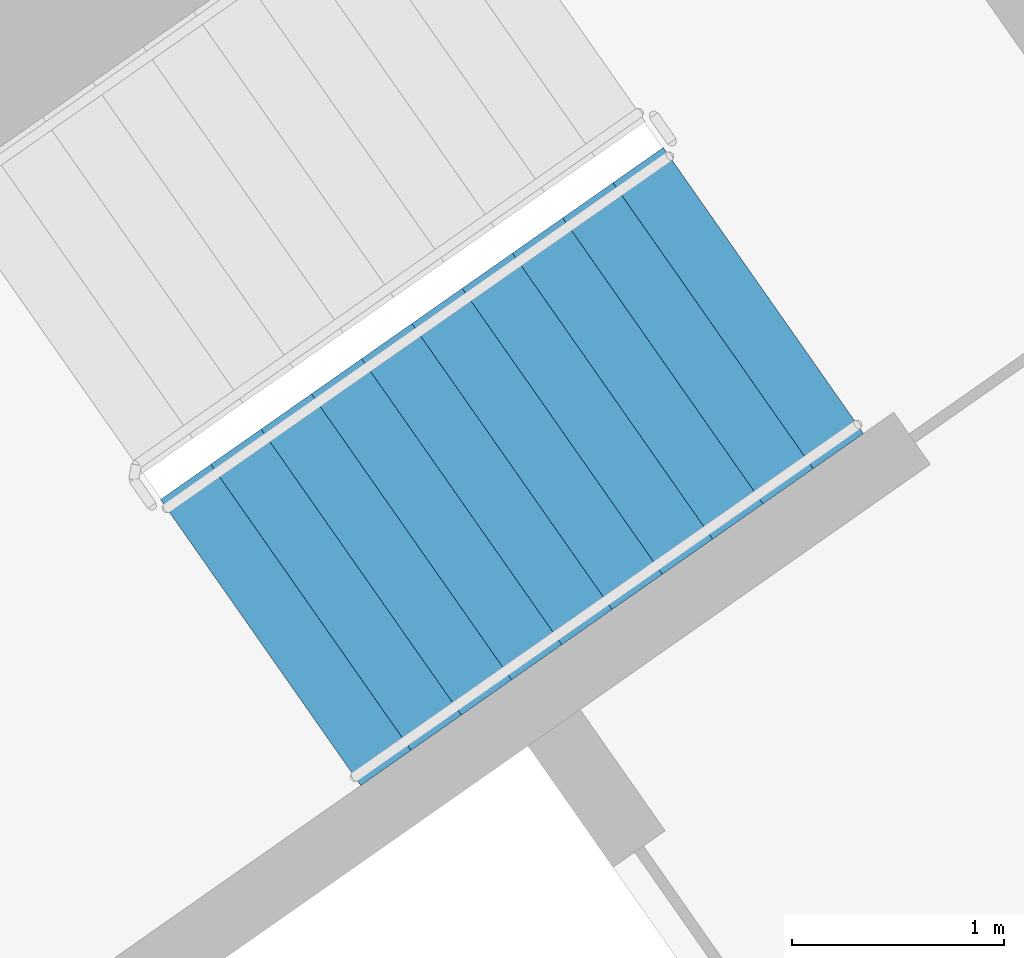
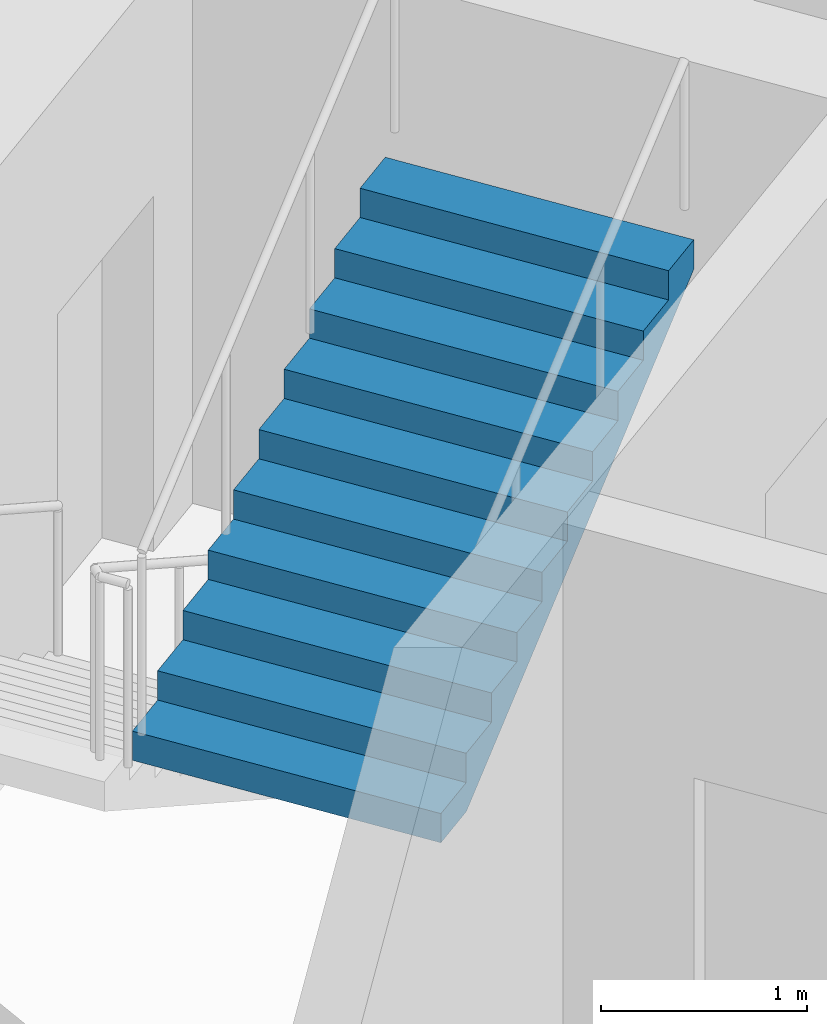
# One storey, part 16 of 27: 1 stair flight, 1 element without a shape of its own.
"""IFC4 building model written with IfcOpenShell, lengths in metres."""

from ifc_helpers import new_model, si_unit, direction, frame, origin, place, context, subcontext, project, spatial, faceted_brep, material, type_object, element, aggregate, save


model = new_model("IFC4")

# Units and contexts
model_context = context("Model", 3, precision=1e-05, world=origin(), true_north=direction((0.0, 1.0)))
body_context = subcontext(model_context, "Body", "Model", "MODEL_VIEW")
ifc_project = project(units=[si_unit("LENGTHUNIT", "METRE"), si_unit("AREAUNIT", "SQUARE_METRE"), si_unit("VOLUMEUNIT", "CUBIC_METRE"), si_unit("PLANEANGLEUNIT", "RADIAN"), si_unit("MASSUNIT", "GRAM", prefix="KILO")], contexts=[model_context])

# Site, building, storey
site_placement = place(None, origin())
site = spatial("IfcSite", under=ifc_project, at=site_placement, CompositionType="ELEMENT")
building_placement = place(site_placement, origin())
building = spatial("IfcBuilding", under=site, at=building_placement, Name="Qamariyya Broadcast Tower", CompositionType="ELEMENT")
storey_placement = place(building_placement, frame((0.0, 0.0, 280.89990234375)))
storey = spatial("IfcBuildingStorey", under=building, at=storey_placement, Name="L68", CompositionType="ELEMENT", Elevation=280.89990234375)

# Stair, stair flight
ifc_material = material(Name="Concrete C50/60", Category="concrete")
stair_type = type_object("IfcStairType", Name="Exit stair 22 risers of 173 mm", PredefinedType="HALF_TURN_STAIR", material=ifc_material)
stair_placement = place(storey_placement, origin())
stair = element("IfcStair", 1, at=stair_placement, inside=storey, type_object=stair_type, Name="L68 Stair E2", PredefinedType="HALF_TURN_STAIR")
stair_flight_type = type_object("IfcStairFlightType", Name="Exit stair flight 11 risers of 173 mm", PredefinedType="STRAIGHT", material=ifc_material)
stair_flight_placement = place(storey_placement, frame((39.215576171875, -50.822998046875, 1.900146484375), z_axis=(0.0, 0.0, 1.0), x_axis=(0.819152044289, 0.573576436351, 0.0)))
stair_flight = element("IfcStairFlight", 2, at=stair_flight_placement, type_object=stair_flight_type, Name="ST-E2 flight 2", NumberOfRisers=11, NumberOfTreads=10, PredefinedType="STRAIGHT", RiserHeight=0.172727273, TreadLength=0.29, context=body_context, shape_type="Brep", body=[
    faceted_brep([(0.0, 0.824951171875, 0.0), (0.0, 0.824951171875, 0.172607421875), (0.2900390625, 0.824951171875, 0.172607421875), (0.2900390625, 0.824951171875, 0.345458984375), (0.580078125, 0.824951171875, 0.345458984375), (0.580078125, 0.824951171875, 0.51806640625), (0.8701171875, 0.824951171875, 0.51806640625), (0.8701171875, 0.824951171875, 0.69091796875), (1.159912109375, 0.824951171875, 0.69091796875), (1.159912109375, 0.824951171875, 0.863525390625), (1.449951171875, 0.824951171875, 0.863525390625), (1.449951171875, 0.824951171875, 1.036376953125), (1.739990234375, 0.824951171875, 1.036376953125), (1.739990234375, 0.824951171875, 1.208984375), (2.030029296875, 0.824951171875, 1.208984375), (2.030029296875, 0.824951171875, 1.3818359375), (2.320068359375, 0.824951171875, 1.3818359375), (2.320068359375, 0.824951171875, 1.554443359375), (2.610107421875, 0.824951171875, 1.554443359375), (2.610107421875, 0.824951171875, 1.727294921875), (2.89990234375, 0.824951171875, 1.727294921875), (2.89990234375, 0.824951171875, 1.552734375), (0.29296875, 0.824951171875, 0.0), (0.29296875, -0.824951171875, 0.0), (2.89990234375, -0.824951171875, 1.552734375), (2.89990234375, -0.824951171875, 1.727294921875), (2.610107421875, -0.824951171875, 1.727294921875), (2.610107421875, -0.824951171875, 1.554443359375), (2.320068359375, -0.824951171875, 1.554443359375), (2.320068359375, -0.824951171875, 1.3818359375), (2.030029296875, -0.824951171875, 1.3818359375), (2.030029296875, -0.824951171875, 1.208984375), (1.739990234375, -0.824951171875, 1.208984375), (1.739990234375, -0.824951171875, 1.036376953125), (1.449951171875, -0.824951171875, 1.036376953125), (1.449951171875, -0.824951171875, 0.863525390625), (1.159912109375, -0.824951171875, 0.863525390625), (1.159912109375, -0.824951171875, 0.69091796875), (0.8701171875, -0.824951171875, 0.69091796875), (0.8701171875, -0.824951171875, 0.51806640625), (0.580078125, -0.824951171875, 0.51806640625), (0.580078125, -0.824951171875, 0.345458984375), (0.2900390625, -0.824951171875, 0.345458984375), (0.2900390625, -0.824951171875, 0.172607421875), (0.0, -0.824951171875, 0.172607421875), (0.0, -0.824951171875, 0.0), (0.0, 0.10009765625, 0.0), (0.0, 0.086669921875, 0.0), (0.0, 0.0732421875, 0.0), (0.0, 0.06005859375, 0.0), (0.0, 0.046630859375, 0.0), (0.0, 0.033447265625, 0.0), (0.0, 0.02001953125, 0.0), (0.0, 0.006591796875, 0.0), (0.0, -0.006591796875, 0.0), (0.0, -0.02001953125, 0.0), (0.0, -0.033447265625, 0.0), (0.0, -0.046630859375, 0.0), (0.0, -0.06005859375, 0.0), (0.0, -0.0732421875, 0.0), (0.0, -0.086669921875, 0.0), (0.0, -0.10009765625, 0.0), (0.0, -0.10009765625, 0.172607421875), (0.0, -0.086669921875, 0.172607421875), (0.0, -0.0732421875, 0.172607421875), (0.0, -0.06005859375, 0.172607421875), (0.0, -0.046630859375, 0.172607421875), (0.0, -0.033447265625, 0.172607421875), (0.0, -0.02001953125, 0.172607421875), (0.0, -0.006591796875, 0.172607421875), (0.0, 0.006591796875, 0.172607421875), (0.0, 0.02001953125, 0.172607421875), (0.0, 0.033447265625, 0.172607421875), (0.0, 0.046630859375, 0.172607421875), (0.0, 0.06005859375, 0.172607421875), (0.0, 0.0732421875, 0.172607421875), (0.0, 0.086669921875, 0.172607421875), (0.0, 0.10009765625, 0.172607421875), (0.2900390625, -0.10009765625, 0.172607421875), (0.2900390625, -0.086669921875, 0.172607421875), (0.2900390625, -0.0732421875, 0.172607421875), (0.2900390625, -0.06005859375, 0.172607421875), (0.2900390625, -0.046630859375, 0.172607421875), (0.2900390625, -0.033447265625, 0.172607421875), (0.2900390625, -0.02001953125, 0.172607421875), (0.2900390625, -0.006591796875, 0.172607421875), (0.2900390625, 0.006591796875, 0.172607421875), (0.2900390625, 0.02001953125, 0.172607421875), (0.2900390625, 0.033447265625, 0.172607421875), (0.2900390625, 0.046630859375, 0.172607421875), (0.2900390625, 0.06005859375, 0.172607421875), (0.2900390625, 0.0732421875, 0.172607421875), (0.2900390625, 0.086669921875, 0.172607421875), (0.2900390625, 0.10009765625, 0.172607421875), (0.2900390625, -0.10009765625, 0.345458984375), (0.2900390625, -0.086669921875, 0.345458984375), (0.2900390625, -0.0732421875, 0.345458984375), (0.2900390625, -0.06005859375, 0.345458984375), (0.2900390625, -0.046630859375, 0.345458984375), (0.2900390625, -0.033447265625, 0.345458984375), (0.2900390625, -0.02001953125, 0.345458984375), (0.2900390625, -0.006591796875, 0.345458984375), (0.2900390625, 0.006591796875, 0.345458984375), (0.2900390625, 0.02001953125, 0.345458984375), (0.2900390625, 0.033447265625, 0.345458984375), (0.2900390625, 0.046630859375, 0.345458984375), (0.2900390625, 0.06005859375, 0.345458984375), (0.2900390625, 0.0732421875, 0.345458984375), (0.2900390625, 0.086669921875, 0.345458984375), (0.2900390625, 0.10009765625, 0.345458984375), (0.580078125, -0.10009765625, 0.345458984375), (0.580078125, -0.086669921875, 0.345458984375), (0.580078125, -0.0732421875, 0.345458984375), (0.580078125, -0.06005859375, 0.345458984375), (0.580078125, -0.046630859375, 0.345458984375), (0.580078125, -0.033447265625, 0.345458984375), (0.580078125, -0.02001953125, 0.345458984375), (0.580078125, -0.006591796875, 0.345458984375), (0.580078125, 0.006591796875, 0.345458984375), (0.580078125, 0.02001953125, 0.345458984375), (0.580078125, 0.033447265625, 0.345458984375), (0.580078125, 0.046630859375, 0.345458984375), (0.580078125, 0.06005859375, 0.345458984375), (0.580078125, 0.0732421875, 0.345458984375), (0.580078125, 0.086669921875, 0.345458984375), (0.580078125, 0.10009765625, 0.345458984375), (0.580078125, -0.10009765625, 0.51806640625), (0.580078125, -0.086669921875, 0.51806640625), (0.580078125, -0.0732421875, 0.51806640625), (0.580078125, -0.06005859375, 0.51806640625), (0.580078125, -0.046630859375, 0.51806640625), (0.580078125, -0.033447265625, 0.51806640625), (0.580078125, -0.02001953125, 0.51806640625), (0.580078125, -0.006591796875, 0.51806640625), (0.580078125, 0.006591796875, 0.51806640625), (0.580078125, 0.02001953125, 0.51806640625), (0.580078125, 0.033447265625, 0.51806640625), (0.580078125, 0.046630859375, 0.51806640625), (0.580078125, 0.06005859375, 0.51806640625), (0.580078125, 0.0732421875, 0.51806640625), (0.580078125, 0.086669921875, 0.51806640625), (0.580078125, 0.10009765625, 0.51806640625), (0.8701171875, -0.10009765625, 0.51806640625), (0.8701171875, -0.086669921875, 0.51806640625), (0.8701171875, -0.0732421875, 0.51806640625), (0.8701171875, -0.06005859375, 0.51806640625), (0.8701171875, -0.046630859375, 0.51806640625), (0.8701171875, -0.033447265625, 0.51806640625), (0.8701171875, -0.02001953125, 0.51806640625), (0.8701171875, -0.006591796875, 0.51806640625), (0.8701171875, 0.006591796875, 0.51806640625), (0.8701171875, 0.02001953125, 0.51806640625), (0.8701171875, 0.033447265625, 0.51806640625), (0.8701171875, 0.046630859375, 0.51806640625), (0.8701171875, 0.06005859375, 0.51806640625), (0.8701171875, 0.0732421875, 0.51806640625), (0.8701171875, 0.086669921875, 0.51806640625), (0.8701171875, 0.10009765625, 0.51806640625), (0.8701171875, -0.10009765625, 0.69091796875), (0.8701171875, -0.086669921875, 0.69091796875), (0.8701171875, -0.0732421875, 0.69091796875), (0.8701171875, -0.06005859375, 0.69091796875), (0.8701171875, -0.046630859375, 0.69091796875), (0.8701171875, -0.033447265625, 0.69091796875), (0.8701171875, -0.02001953125, 0.69091796875), (0.8701171875, -0.006591796875, 0.69091796875), (0.8701171875, 0.006591796875, 0.69091796875), (0.8701171875, 0.02001953125, 0.69091796875), (0.8701171875, 0.033447265625, 0.69091796875), (0.8701171875, 0.046630859375, 0.69091796875), (0.8701171875, 0.06005859375, 0.69091796875), (0.8701171875, 0.0732421875, 0.69091796875), (0.8701171875, 0.086669921875, 0.69091796875), (0.8701171875, 0.10009765625, 0.69091796875), (1.159912109375, -0.10009765625, 0.69091796875), (1.159912109375, -0.086669921875, 0.69091796875), (1.159912109375, -0.0732421875, 0.69091796875), (1.159912109375, -0.06005859375, 0.69091796875), (1.159912109375, -0.046630859375, 0.69091796875), (1.159912109375, -0.033447265625, 0.69091796875), (1.159912109375, -0.02001953125, 0.69091796875), (1.159912109375, -0.006591796875, 0.69091796875), (1.159912109375, 0.006591796875, 0.69091796875), (1.159912109375, 0.02001953125, 0.69091796875), (1.159912109375, 0.033447265625, 0.69091796875), (1.159912109375, 0.046630859375, 0.69091796875), (1.159912109375, 0.06005859375, 0.69091796875), (1.159912109375, 0.0732421875, 0.69091796875), (1.159912109375, 0.086669921875, 0.69091796875), (1.159912109375, 0.10009765625, 0.69091796875), (1.159912109375, -0.10009765625, 0.863525390625), (1.159912109375, -0.086669921875, 0.863525390625), (1.159912109375, -0.0732421875, 0.863525390625), (1.159912109375, -0.06005859375, 0.863525390625), (1.159912109375, -0.046630859375, 0.863525390625), (1.159912109375, -0.033447265625, 0.863525390625), (1.159912109375, -0.02001953125, 0.863525390625), (1.159912109375, -0.006591796875, 0.863525390625), (1.159912109375, 0.006591796875, 0.863525390625), (1.159912109375, 0.02001953125, 0.863525390625), (1.159912109375, 0.033447265625, 0.863525390625), (1.159912109375, 0.046630859375, 0.863525390625), (1.159912109375, 0.06005859375, 0.863525390625), (1.159912109375, 0.0732421875, 0.863525390625), (1.159912109375, 0.086669921875, 0.863525390625), (1.159912109375, 0.10009765625, 0.863525390625), (1.449951171875, -0.10009765625, 0.863525390625), (1.449951171875, -0.086669921875, 0.863525390625), (1.449951171875, -0.0732421875, 0.863525390625), (1.449951171875, -0.06005859375, 0.863525390625), (1.449951171875, -0.046630859375, 0.863525390625), (1.449951171875, -0.033447265625, 0.863525390625), (1.449951171875, -0.02001953125, 0.863525390625), (1.449951171875, -0.006591796875, 0.863525390625), (1.449951171875, 0.006591796875, 0.863525390625), (1.449951171875, 0.02001953125, 0.863525390625), (1.449951171875, 0.033447265625, 0.863525390625), (1.449951171875, 0.046630859375, 0.863525390625), (1.449951171875, 0.06005859375, 0.863525390625), (1.449951171875, 0.0732421875, 0.863525390625), (1.449951171875, 0.086669921875, 0.863525390625), (1.449951171875, 0.10009765625, 0.863525390625), (1.449951171875, -0.10009765625, 1.036376953125), (1.449951171875, -0.086669921875, 1.036376953125), (1.449951171875, -0.0732421875, 1.036376953125), (1.449951171875, -0.06005859375, 1.036376953125), (1.449951171875, -0.046630859375, 1.036376953125), (1.449951171875, -0.033447265625, 1.036376953125), (1.449951171875, -0.02001953125, 1.036376953125), (1.449951171875, -0.006591796875, 1.036376953125), (1.449951171875, 0.006591796875, 1.036376953125), (1.449951171875, 0.02001953125, 1.036376953125), (1.449951171875, 0.033447265625, 1.036376953125), (1.449951171875, 0.046630859375, 1.036376953125), (1.449951171875, 0.06005859375, 1.036376953125), (1.449951171875, 0.0732421875, 1.036376953125), (1.449951171875, 0.086669921875, 1.036376953125), (1.449951171875, 0.10009765625, 1.036376953125), (1.739990234375, -0.10009765625, 1.036376953125), (1.739990234375, -0.086669921875, 1.036376953125), (1.739990234375, -0.0732421875, 1.036376953125), (1.739990234375, -0.06005859375, 1.036376953125), (1.739990234375, -0.046630859375, 1.036376953125), (1.739990234375, -0.033447265625, 1.036376953125), (1.739990234375, -0.02001953125, 1.036376953125), (1.739990234375, -0.006591796875, 1.036376953125), (1.739990234375, 0.006591796875, 1.036376953125), (1.739990234375, 0.02001953125, 1.036376953125), (1.739990234375, 0.033447265625, 1.036376953125), (1.739990234375, 0.046630859375, 1.036376953125), (1.739990234375, 0.06005859375, 1.036376953125), (1.739990234375, 0.0732421875, 1.036376953125), (1.739990234375, 0.086669921875, 1.036376953125), (1.739990234375, 0.10009765625, 1.036376953125), (1.739990234375, -0.10009765625, 1.208984375), (1.739990234375, -0.086669921875, 1.208984375), (1.739990234375, -0.0732421875, 1.208984375), (1.739990234375, -0.06005859375, 1.208984375), (1.739990234375, -0.046630859375, 1.208984375), (1.739990234375, -0.033447265625, 1.208984375), (1.739990234375, -0.02001953125, 1.208984375), (1.739990234375, -0.006591796875, 1.208984375), (1.739990234375, 0.006591796875, 1.208984375), (1.739990234375, 0.02001953125, 1.208984375), (1.739990234375, 0.033447265625, 1.208984375), (1.739990234375, 0.046630859375, 1.208984375), (1.739990234375, 0.06005859375, 1.208984375), (1.739990234375, 0.0732421875, 1.208984375), (1.739990234375, 0.086669921875, 1.208984375), (1.739990234375, 0.10009765625, 1.208984375), (2.030029296875, -0.10009765625, 1.208984375), (2.030029296875, -0.086669921875, 1.208984375), (2.030029296875, -0.0732421875, 1.208984375), (2.030029296875, -0.06005859375, 1.208984375), (2.030029296875, -0.046630859375, 1.208984375), (2.030029296875, -0.033447265625, 1.208984375), (2.030029296875, -0.02001953125, 1.208984375), (2.030029296875, -0.006591796875, 1.208984375), (2.030029296875, 0.006591796875, 1.208984375), (2.030029296875, 0.02001953125, 1.208984375), (2.030029296875, 0.033447265625, 1.208984375), (2.030029296875, 0.046630859375, 1.208984375), (2.030029296875, 0.06005859375, 1.208984375), (2.030029296875, 0.0732421875, 1.208984375), (2.030029296875, 0.086669921875, 1.208984375), (2.030029296875, 0.10009765625, 1.208984375), (2.030029296875, -0.10009765625, 1.3818359375), (2.030029296875, -0.086669921875, 1.3818359375), (2.030029296875, -0.0732421875, 1.3818359375), (2.030029296875, -0.06005859375, 1.3818359375), (2.030029296875, -0.046630859375, 1.3818359375), (2.030029296875, -0.033447265625, 1.3818359375), (2.030029296875, -0.02001953125, 1.3818359375), (2.030029296875, -0.006591796875, 1.3818359375), (2.030029296875, 0.006591796875, 1.3818359375), (2.030029296875, 0.02001953125, 1.3818359375), (2.030029296875, 0.033447265625, 1.3818359375), (2.030029296875, 0.046630859375, 1.3818359375), (2.030029296875, 0.06005859375, 1.3818359375), (2.030029296875, 0.0732421875, 1.3818359375), (2.030029296875, 0.086669921875, 1.3818359375), (2.030029296875, 0.10009765625, 1.3818359375), (2.320068359375, -0.10009765625, 1.3818359375), (2.320068359375, -0.086669921875, 1.3818359375), (2.320068359375, -0.0732421875, 1.3818359375), (2.320068359375, -0.06005859375, 1.3818359375), (2.320068359375, -0.046630859375, 1.3818359375), (2.320068359375, -0.033447265625, 1.3818359375), (2.320068359375, -0.02001953125, 1.3818359375), (2.320068359375, -0.006591796875, 1.3818359375), (2.320068359375, 0.006591796875, 1.3818359375), (2.320068359375, 0.02001953125, 1.3818359375), (2.320068359375, 0.033447265625, 1.3818359375), (2.320068359375, 0.046630859375, 1.3818359375), (2.320068359375, 0.06005859375, 1.3818359375), (2.320068359375, 0.0732421875, 1.3818359375), (2.320068359375, 0.086669921875, 1.3818359375), (2.320068359375, 0.10009765625, 1.3818359375), (2.320068359375, -0.10009765625, 1.554443359375), (2.320068359375, -0.086669921875, 1.554443359375), (2.320068359375, -0.0732421875, 1.554443359375), (2.320068359375, -0.06005859375, 1.554443359375), (2.320068359375, -0.046630859375, 1.554443359375), (2.320068359375, -0.033447265625, 1.554443359375), (2.320068359375, -0.02001953125, 1.554443359375), (2.320068359375, -0.006591796875, 1.554443359375), (2.320068359375, 0.006591796875, 1.554443359375), (2.320068359375, 0.02001953125, 1.554443359375), (2.320068359375, 0.033447265625, 1.554443359375), (2.320068359375, 0.046630859375, 1.554443359375), (2.320068359375, 0.06005859375, 1.554443359375), (2.320068359375, 0.0732421875, 1.554443359375), (2.320068359375, 0.086669921875, 1.554443359375), (2.320068359375, 0.10009765625, 1.554443359375), (2.610107421875, -0.10009765625, 1.554443359375), (2.610107421875, -0.086669921875, 1.554443359375), (2.610107421875, -0.0732421875, 1.554443359375), (2.610107421875, -0.06005859375, 1.554443359375), (2.610107421875, -0.046630859375, 1.554443359375), (2.610107421875, -0.033447265625, 1.554443359375), (2.610107421875, -0.02001953125, 1.554443359375), (2.610107421875, -0.006591796875, 1.554443359375), (2.610107421875, 0.006591796875, 1.554443359375), (2.610107421875, 0.02001953125, 1.554443359375), (2.610107421875, 0.033447265625, 1.554443359375), (2.610107421875, 0.046630859375, 1.554443359375), (2.610107421875, 0.06005859375, 1.554443359375), (2.610107421875, 0.0732421875, 1.554443359375), (2.610107421875, 0.086669921875, 1.554443359375), (2.610107421875, 0.10009765625, 1.554443359375), (2.610107421875, -0.10009765625, 1.727294921875), (2.610107421875, -0.086669921875, 1.727294921875), (2.610107421875, -0.0732421875, 1.727294921875), (2.610107421875, -0.06005859375, 1.727294921875), (2.610107421875, -0.046630859375, 1.727294921875), (2.610107421875, -0.033447265625, 1.727294921875), (2.610107421875, -0.02001953125, 1.727294921875), (2.610107421875, -0.006591796875, 1.727294921875), (2.610107421875, 0.006591796875, 1.727294921875), (2.610107421875, 0.02001953125, 1.727294921875), (2.610107421875, 0.033447265625, 1.727294921875), (2.610107421875, 0.046630859375, 1.727294921875), (2.610107421875, 0.06005859375, 1.727294921875), (2.610107421875, 0.0732421875, 1.727294921875), (2.610107421875, 0.086669921875, 1.727294921875), (2.610107421875, 0.10009765625, 1.727294921875), (2.89990234375, -0.10009765625, 1.727294921875), (2.89990234375, -0.086669921875, 1.727294921875), (2.89990234375, -0.0732421875, 1.727294921875), (2.89990234375, -0.06005859375, 1.727294921875), (2.89990234375, -0.046630859375, 1.727294921875), (2.89990234375, -0.033447265625, 1.727294921875), (2.89990234375, -0.02001953125, 1.727294921875), (2.89990234375, -0.006591796875, 1.727294921875), (2.89990234375, 0.006591796875, 1.727294921875), (2.89990234375, 0.02001953125, 1.727294921875), (2.89990234375, 0.033447265625, 1.727294921875), (2.89990234375, 0.046630859375, 1.727294921875), (2.89990234375, 0.06005859375, 1.727294921875), (2.89990234375, 0.0732421875, 1.727294921875), (2.89990234375, 0.086669921875, 1.727294921875), (2.89990234375, 0.10009765625, 1.727294921875), (2.89990234375, -0.10009765625, 1.552734375), (2.89990234375, -0.086669921875, 1.552734375), (2.89990234375, -0.0732421875, 1.552734375), (2.89990234375, -0.06005859375, 1.552734375), (2.89990234375, -0.046630859375, 1.552734375), (2.89990234375, -0.033447265625, 1.552734375), (2.89990234375, -0.02001953125, 1.552734375), (2.89990234375, -0.006591796875, 1.552734375), (2.89990234375, 0.006591796875, 1.552734375), (2.89990234375, 0.02001953125, 1.552734375), (2.89990234375, 0.033447265625, 1.552734375), (2.89990234375, 0.046630859375, 1.552734375), (2.89990234375, 0.06005859375, 1.552734375), (2.89990234375, 0.0732421875, 1.552734375), (2.89990234375, 0.086669921875, 1.552734375), (2.89990234375, 0.10009765625, 1.552734375), (0.29296875, -0.10009765625, 0.0), (0.29296875, -0.086669921875, 0.0), (0.29296875, -0.0732421875, 0.0), (0.29296875, -0.06005859375, 0.0), (0.29296875, -0.046630859375, 0.0), (0.29296875, -0.033447265625, 0.0), (0.29296875, -0.02001953125, 0.0), (0.29296875, -0.006591796875, 0.0), (0.29296875, 0.006591796875, 0.0), (0.29296875, 0.02001953125, 0.0), (0.29296875, 0.033447265625, 0.0), (0.29296875, 0.046630859375, 0.0), (0.29296875, 0.06005859375, 0.0), (0.29296875, 0.0732421875, 0.0), (0.29296875, 0.086669921875, 0.0), (0.29296875, 0.10009765625, 0.0)], [[[0, 1, 2, 3, 4, 5, 6, 7, 8, 9, 10, 11, 12, 13, 14, 15, 16, 17, 18, 19, 20, 21, 22]], [[23, 24, 25, 26, 27, 28, 29, 30, 31, 32, 33, 34, 35, 36, 37, 38, 39, 40, 41, 42, 43, 44, 45]], [[0, 46, 47, 48, 49, 50, 51, 52, 53, 54, 55, 56, 57, 58, 59, 60, 61, 45, 44, 62, 63, 64, 65, 66, 67, 68, 69, 70, 71, 72, 73, 74, 75, 76, 77, 1]], [[1, 77, 76, 75, 74, 73, 72, 71, 70, 69, 68, 67, 66, 65, 64, 63, 62, 44, 43, 78, 79, 80, 81, 82, 83, 84, 85, 86, 87, 88, 89, 90, 91, 92, 93, 2]], [[2, 93, 92, 91, 90, 89, 88, 87, 86, 85, 84, 83, 82, 81, 80, 79, 78, 43, 42, 94, 95, 96, 97, 98, 99, 100, 101, 102, 103, 104, 105, 106, 107, 108, 109, 3]], [[3, 109, 108, 107, 106, 105, 104, 103, 102, 101, 100, 99, 98, 97, 96, 95, 94, 42, 41, 110, 111, 112, 113, 114, 115, 116, 117, 118, 119, 120, 121, 122, 123, 124, 125, 4]], [[4, 125, 124, 123, 122, 121, 120, 119, 118, 117, 116, 115, 114, 113, 112, 111, 110, 41, 40, 126, 127, 128, 129, 130, 131, 132, 133, 134, 135, 136, 137, 138, 139, 140, 141, 5]], [[5, 141, 140, 139, 138, 137, 136, 135, 134, 133, 132, 131, 130, 129, 128, 127, 126, 40, 39, 142, 143, 144, 145, 146, 147, 148, 149, 150, 151, 152, 153, 154, 155, 156, 157, 6]], [[6, 157, 156, 155, 154, 153, 152, 151, 150, 149, 148, 147, 146, 145, 144, 143, 142, 39, 38, 158, 159, 160, 161, 162, 163, 164, 165, 166, 167, 168, 169, 170, 171, 172, 173, 7]], [[7, 173, 172, 171, 170, 169, 168, 167, 166, 165, 164, 163, 162, 161, 160, 159, 158, 38, 37, 174, 175, 176, 177, 178, 179, 180, 181, 182, 183, 184, 185, 186, 187, 188, 189, 8]], [[8, 189, 188, 187, 186, 185, 184, 183, 182, 181, 180, 179, 178, 177, 176, 175, 174, 37, 36, 190, 191, 192, 193, 194, 195, 196, 197, 198, 199, 200, 201, 202, 203, 204, 205, 9]], [[9, 205, 204, 203, 202, 201, 200, 199, 198, 197, 196, 195, 194, 193, 192, 191, 190, 36, 35, 206, 207, 208, 209, 210, 211, 212, 213, 214, 215, 216, 217, 218, 219, 220, 221, 10]], [[10, 221, 220, 219, 218, 217, 216, 215, 214, 213, 212, 211, 210, 209, 208, 207, 206, 35, 34, 222, 223, 224, 225, 226, 227, 228, 229, 230, 231, 232, 233, 234, 235, 236, 237, 11]], [[11, 237, 236, 235, 234, 233, 232, 231, 230, 229, 228, 227, 226, 225, 224, 223, 222, 34, 33, 238, 239, 240, 241, 242, 243, 244, 245, 246, 247, 248, 249, 250, 251, 252, 253, 12]], [[12, 253, 252, 251, 250, 249, 248, 247, 246, 245, 244, 243, 242, 241, 240, 239, 238, 33, 32, 254, 255, 256, 257, 258, 259, 260, 261, 262, 263, 264, 265, 266, 267, 268, 269, 13]], [[13, 269, 268, 267, 266, 265, 264, 263, 262, 261, 260, 259, 258, 257, 256, 255, 254, 32, 31, 270, 271, 272, 273, 274, 275, 276, 277, 278, 279, 280, 281, 282, 283, 284, 285, 14]], [[14, 285, 284, 283, 282, 281, 280, 279, 278, 277, 276, 275, 274, 273, 272, 271, 270, 31, 30, 286, 287, 288, 289, 290, 291, 292, 293, 294, 295, 296, 297, 298, 299, 300, 301, 15]], [[15, 301, 300, 299, 298, 297, 296, 295, 294, 293, 292, 291, 290, 289, 288, 287, 286, 30, 29, 302, 303, 304, 305, 306, 307, 308, 309, 310, 311, 312, 313, 314, 315, 316, 317, 16]], [[16, 317, 316, 315, 314, 313, 312, 311, 310, 309, 308, 307, 306, 305, 304, 303, 302, 29, 28, 318, 319, 320, 321, 322, 323, 324, 325, 326, 327, 328, 329, 330, 331, 332, 333, 17]], [[17, 333, 332, 331, 330, 329, 328, 327, 326, 325, 324, 323, 322, 321, 320, 319, 318, 28, 27, 334, 335, 336, 337, 338, 339, 340, 341, 342, 343, 344, 345, 346, 347, 348, 349, 18]], [[18, 349, 348, 347, 346, 345, 344, 343, 342, 341, 340, 339, 338, 337, 336, 335, 334, 27, 26, 350, 351, 352, 353, 354, 355, 356, 357, 358, 359, 360, 361, 362, 363, 364, 365, 19]], [[19, 365, 364, 363, 362, 361, 360, 359, 358, 357, 356, 355, 354, 353, 352, 351, 350, 26, 25, 366, 367, 368, 369, 370, 371, 372, 373, 374, 375, 376, 377, 378, 379, 380, 381, 20]], [[20, 381, 380, 379, 378, 377, 376, 375, 374, 373, 372, 371, 370, 369, 368, 367, 366, 25, 24, 382, 383, 384, 385, 386, 387, 388, 389, 390, 391, 392, 393, 394, 395, 396, 397, 21]], [[21, 397, 396, 395, 394, 393, 392, 391, 390, 389, 388, 387, 386, 385, 384, 383, 382, 24, 23, 398, 399, 400, 401, 402, 403, 404, 405, 406, 407, 408, 409, 410, 411, 412, 413, 22]], [[22, 413, 412, 411, 410, 409, 408, 407, 406, 405, 404, 403, 402, 401, 400, 399, 398, 23, 45, 61, 60, 59, 58, 57, 56, 55, 54, 53, 52, 51, 50, 49, 48, 47, 46, 0]]]),
])
aggregate(stair, [stair_flight])

save(model, "model.ifc")
